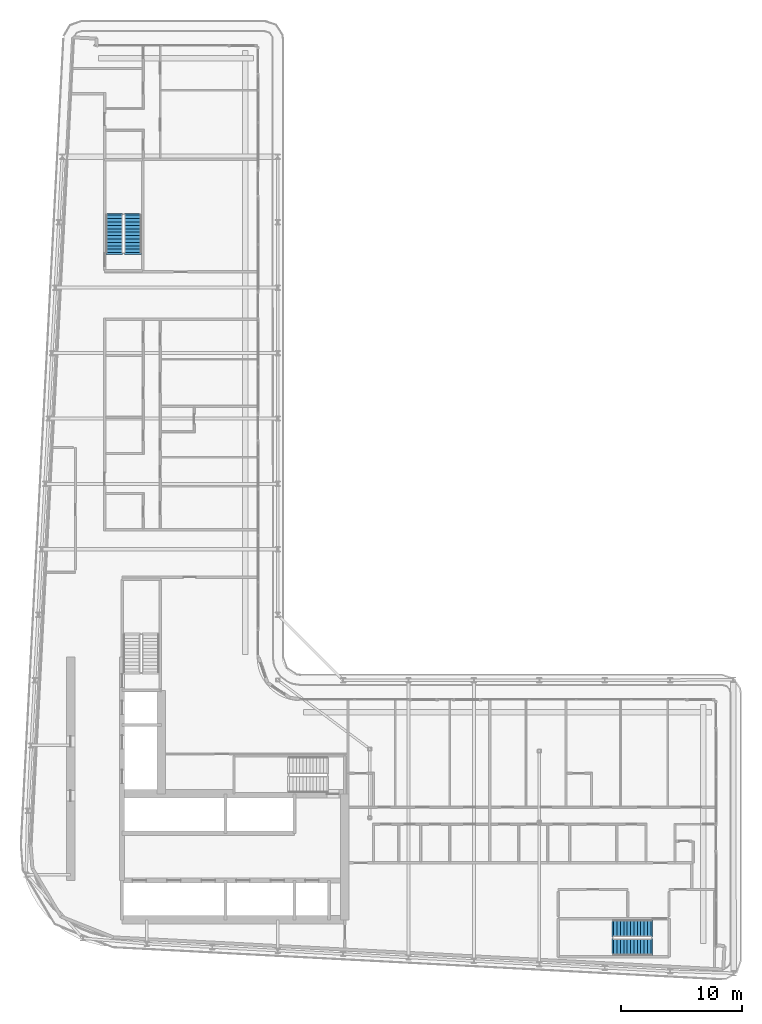
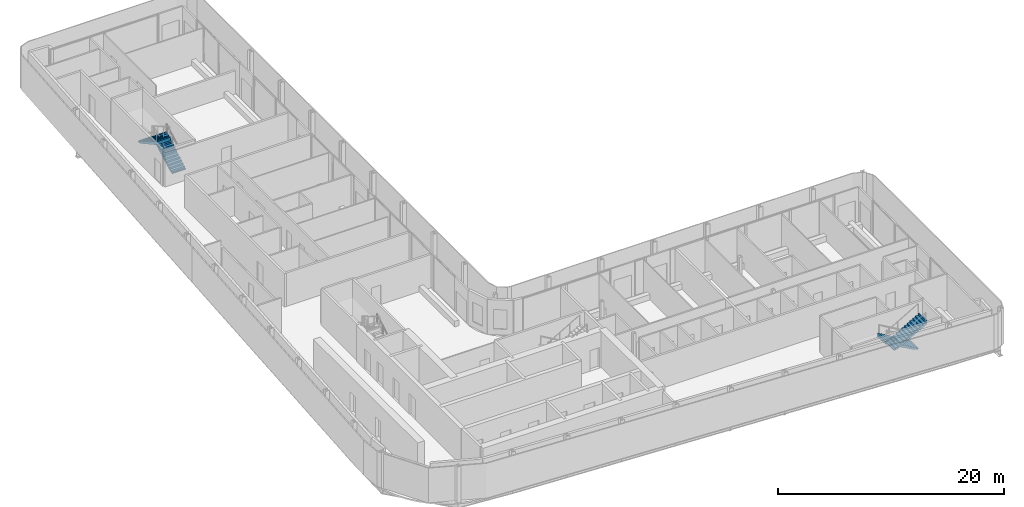
# One storey, part 15 of 22: 4 stair flights, 2 elements without a shape of their own.
"""IFC4 building model written with IfcOpenShell, lengths in metres."""

from ifc_helpers import new_model, si_unit, direction, frame, origin, place, context, subcontext, project, spatial, polyline, outline, extrude, material, layer, layer_set, type_object, element, aggregate, save


model = new_model("IFC4")

# Units and contexts
model_context = context("Model", 3, precision=1e-05, world=origin(), true_north=direction((0.0, 1.0)))
body_context = subcontext(model_context, "Body", "Model", "MODEL_VIEW")
ifc_project = project(units=[si_unit("LENGTHUNIT", "METRE"), si_unit("AREAUNIT", "SQUARE_METRE"), si_unit("VOLUMEUNIT", "CUBIC_METRE"), si_unit("PLANEANGLEUNIT", "RADIAN"), si_unit("MASSUNIT", "GRAM", prefix="KILO")], contexts=[model_context])

# Site, building, storey
site_placement = place(None, origin())
site = spatial("IfcSite", under=ifc_project, at=site_placement, CompositionType="ELEMENT")
building_placement = place(site_placement, origin())
building = spatial("IfcBuilding", under=site, at=building_placement, Name="Kheshtan School and Residences Tower", CompositionType="ELEMENT")
storey_placement = place(building_placement, frame((0.0, 0.0, 263.0)))
storey = spatial("IfcBuildingStorey", under=building, at=storey_placement, Name="L62", CompositionType="ELEMENT", Elevation=263.0)

# Stair, stair flights
ifc_material = material(Name="Concrete C40/50", Category="concrete")
stair_type = type_object("IfcStairType", Name="Exit stair, half-turn", PredefinedType="HALF_TURN_STAIR", material=ifc_material)
stair_1_placement = place(storey_placement, origin())
stair_1 = element("IfcStair", 1, at=stair_1_placement, inside=storey, type_object=stair_type, Name="L62 Protected Exit Stair ST3", PredefinedType="HALF_TURN_STAIR")
ifc_layer = layer(ifc_material, 0.14990234375)
ifc_layer_set = layer_set([ifc_layer], Name="Stair flight 1400 Concrete C40/50")
stair_flight_type = type_object("IfcStairFlightType", Name="Stair flight 1400 Concrete C40/50", PredefinedType="STRAIGHT", material=ifc_layer_set)
stair_flight_1_placement = place(storey_placement, frame((35.64990234375, 80.89990234375, 0.0), z_axis=(0.0, 0.0, 1.0), x_axis=(0.0, 1.0, 0.0)))
stair_flight_1 = element("IfcStairFlight", 2, at=stair_flight_1_placement, type_object=stair_flight_type, Name="ST3 flight 1", NumberOfRisers=12, NumberOfTreads=11, PredefinedType="STRAIGHT", RiserHeight=0.1625, TreadLength=0.28, context=body_context, shape_type="SweptSolid", body=[
    extrude(outline(polyline([(-0.14990234375, -0.10009765625), (-0.14990234375, 0.0), (0.0, 0.0), (0.0, 0.16259765625), (0.280029296875, 0.16259765625), (0.280029296875, 0.324951171875), (0.56005859375, 0.324951171875), (0.56005859375, 0.487548828125), (0.840087890625, 0.487548828125), (0.840087890625, 0.64990234375), (1.1201171875, 0.64990234375), (1.1201171875, 0.8125), (1.39990234375, 0.8125), (1.39990234375, 0.97509765625), (1.679931640625, 0.97509765625), (1.679931640625, 1.137451171875), (1.9599609375, 1.137451171875), (1.9599609375, 1.300048828125), (2.239990234375, 1.300048828125), (2.239990234375, 1.46240234375), (2.52001953125, 1.46240234375), (2.52001953125, 1.625), (2.800048828125, 1.625), (2.800048828125, 1.78759765625), (3.080078125, 1.78759765625), (3.080078125, 1.949951171875), (3.080078125, 1.969970703125), (3.22998046875, 1.969970703125), (3.22998046875, 1.6142578125), (0.298583984375, 0.0), (-0.14990234375, -0.10009765625)])), frame((0.0, 0.699951171875, 0.0), z_axis=(0.0, -1.0, 0.0), x_axis=(1.0, 0.0, 0.0)), (0.0, 0.0, 1.0), 1.39990234375),
])
stair_flight_2_placement = place(storey_placement, frame((34.10009765625, 83.97998046875, 1.949951171875), z_axis=(0.0, 0.0, 1.0), x_axis=(0.0, -1.0, 0.0)))
stair_flight_2 = element("IfcStairFlight", 3, at=stair_flight_2_placement, type_object=stair_flight_type, Name="ST3 flight 2", NumberOfRisers=12, NumberOfTreads=11, PredefinedType="STRAIGHT", RiserHeight=0.1625, TreadLength=0.28, context=body_context, shape_type="SweptSolid", body=[
    extrude(outline(polyline([(-0.14990234375, -0.10009765625), (-0.14990234375, 0.0), (0.0, 0.0), (0.0, 0.16259765625), (0.280029296875, 0.16259765625), (0.280029296875, 0.324951171875), (0.56005859375, 0.324951171875), (0.56005859375, 0.487548828125), (0.840087890625, 0.487548828125), (0.840087890625, 0.64990234375), (1.1201171875, 0.64990234375), (1.1201171875, 0.8125), (1.39990234375, 0.8125), (1.39990234375, 0.97509765625), (1.679931640625, 0.97509765625), (1.679931640625, 1.137451171875), (1.9599609375, 1.137451171875), (1.9599609375, 1.300048828125), (2.239990234375, 1.300048828125), (2.239990234375, 1.46240234375), (2.52001953125, 1.46240234375), (2.52001953125, 1.625), (2.800048828125, 1.625), (2.800048828125, 1.78759765625), (3.080078125, 1.78759765625), (3.080078125, 1.949951171875), (3.080078125, 1.969970703125), (3.22998046875, 1.969970703125), (3.22998046875, 1.6142578125), (0.298583984375, 0.0), (-0.14990234375, -0.10009765625)])), frame((0.0, 0.699951171875, 0.0), z_axis=(0.0, -1.0, 0.0), x_axis=(1.0, 0.0, 0.0)), (0.0, 0.0, 1.0), 1.39990234375),
])
aggregate(stair_1, [stair_flight_1, stair_flight_2])

stair_2_placement = place(storey_placement, origin())
stair_2 = element("IfcStair", 4, at=stair_2_placement, inside=storey, type_object=stair_type, Name="L62 Protected Exit Stair ST5", PredefinedType="HALF_TURN_STAIR")
stair_flight_3_placement = place(storey_placement, frame((78.409912109375, 25.10009765625, 0.0), z_axis=(0.0, 0.0, 1.0), x_axis=(-1.0, 0.0, 0.0)))
stair_flight_3 = element("IfcStairFlight", 5, at=stair_flight_3_placement, type_object=stair_flight_type, Name="ST5 flight 1", NumberOfRisers=12, NumberOfTreads=11, PredefinedType="STRAIGHT", RiserHeight=0.1625, TreadLength=0.28, context=body_context, shape_type="SweptSolid", body=[
    extrude(outline(polyline([(-0.14990234375, -0.10009765625), (-0.14990234375, 0.0), (0.0, 0.0), (0.0, 0.16259765625), (0.280029296875, 0.16259765625), (0.280029296875, 0.324951171875), (0.56005859375, 0.324951171875), (0.56005859375, 0.487548828125), (0.840087890625, 0.487548828125), (0.840087890625, 0.64990234375), (1.1201171875, 0.64990234375), (1.1201171875, 0.8125), (1.39990234375, 0.8125), (1.39990234375, 0.97509765625), (1.679931640625, 0.97509765625), (1.679931640625, 1.137451171875), (1.9599609375, 1.137451171875), (1.9599609375, 1.300048828125), (2.239990234375, 1.300048828125), (2.239990234375, 1.46240234375), (2.52001953125, 1.46240234375), (2.52001953125, 1.625), (2.800048828125, 1.625), (2.800048828125, 1.78759765625), (3.080078125, 1.78759765625), (3.080078125, 1.949951171875), (3.080078125, 1.969970703125), (3.22998046875, 1.969970703125), (3.22998046875, 1.6142578125), (0.298583984375, 0.0), (-0.14990234375, -0.10009765625)])), frame((0.0, 0.699951171875, 0.0), z_axis=(0.0, -1.0, 0.0), x_axis=(1.0, 0.0, 0.0)), (0.0, 0.0, 1.0), 1.39990234375),
])
stair_flight_4_placement = place(storey_placement, frame((75.330078125, 23.550048828125, 1.949951171875), z_axis=(0.0, 0.0, 1.0), x_axis=(1.0, 0.0, 0.0)))
stair_flight_4 = element("IfcStairFlight", 6, at=stair_flight_4_placement, type_object=stair_flight_type, Name="ST5 flight 2", NumberOfRisers=12, NumberOfTreads=11, PredefinedType="STRAIGHT", RiserHeight=0.1625, TreadLength=0.28, context=body_context, shape_type="SweptSolid", body=[
    extrude(outline(polyline([(-0.14990234375, -0.10009765625), (-0.14990234375, 0.0), (0.0, 0.0), (0.0, 0.16259765625), (0.280029296875, 0.16259765625), (0.280029296875, 0.324951171875), (0.56005859375, 0.324951171875), (0.56005859375, 0.487548828125), (0.840087890625, 0.487548828125), (0.840087890625, 0.64990234375), (1.1201171875, 0.64990234375), (1.1201171875, 0.8125), (1.39990234375, 0.8125), (1.39990234375, 0.97509765625), (1.679931640625, 0.97509765625), (1.679931640625, 1.137451171875), (1.9599609375, 1.137451171875), (1.9599609375, 1.300048828125), (2.239990234375, 1.300048828125), (2.239990234375, 1.46240234375), (2.52001953125, 1.46240234375), (2.52001953125, 1.625), (2.800048828125, 1.625), (2.800048828125, 1.78759765625), (3.080078125, 1.78759765625), (3.080078125, 1.949951171875), (3.080078125, 1.969970703125), (3.22998046875, 1.969970703125), (3.22998046875, 1.6142578125), (0.298583984375, 0.0), (-0.14990234375, -0.10009765625)])), frame((0.0, 0.699951171875, 0.0), z_axis=(0.0, -1.0, 0.0), x_axis=(1.0, 0.0, 0.0)), (0.0, 0.0, 1.0), 1.39990234375),
])
aggregate(stair_2, [stair_flight_3, stair_flight_4])

save(model, "model.ifc")
